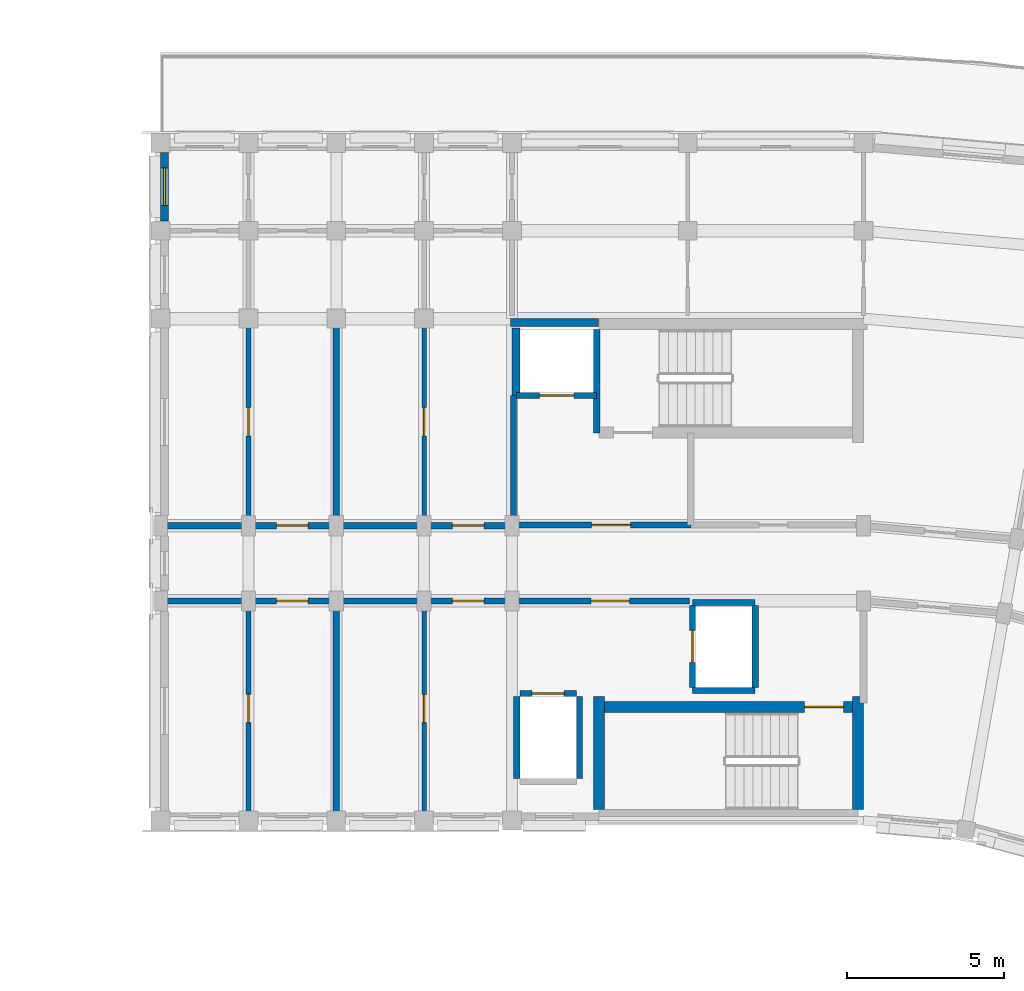
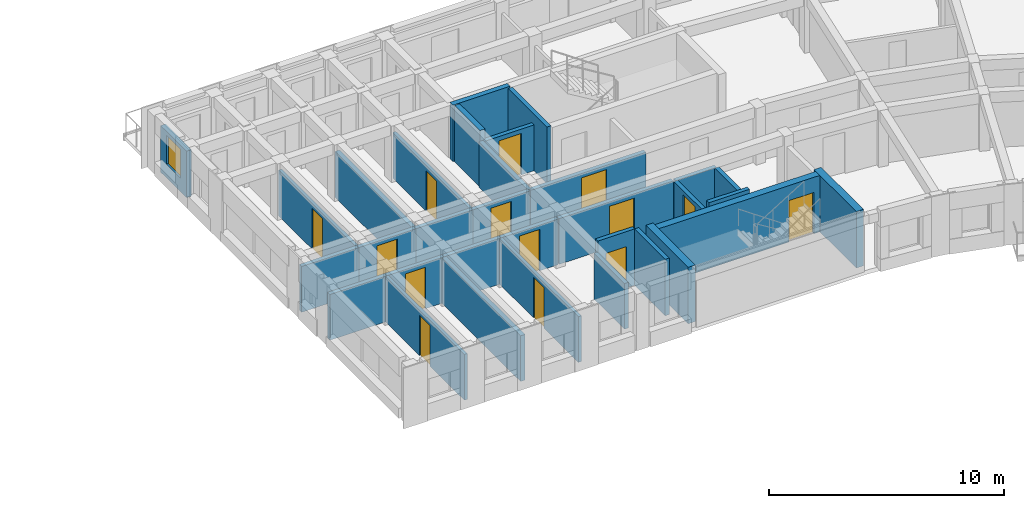
# One storey, part 22 of 41: 32 walls, 14 doors, 1 window, 15 openings.
"""IFC4 building model written with IfcOpenShell, lengths in metres."""

from ifc_helpers import new_model, si_unit, direction, frame, frame_2d, origin, place, context, subcontext, project, spatial, rectangle, extrude, material, layer, layer_set, type_object, element, fill, save


model = new_model("IFC4")

# Units and contexts
model_context = context("Model", 3, precision=1e-05, world=origin(), true_north=direction((0.0, 1.0)))
body_context = subcontext(model_context, "Body", "Model", "MODEL_VIEW")
ifc_project = project(units=[si_unit("LENGTHUNIT", "METRE"), si_unit("AREAUNIT", "SQUARE_METRE"), si_unit("VOLUMEUNIT", "CUBIC_METRE"), si_unit("PLANEANGLEUNIT", "RADIAN"), si_unit("MASSUNIT", "GRAM", prefix="KILO")], contexts=[model_context])

# Site, building, storey
site_placement = place(None, origin())
site = spatial("IfcSite", under=ifc_project, at=site_placement, CompositionType="ELEMENT")
building_placement = place(site_placement, origin())
building = spatial("IfcBuilding", under=site, at=building_placement, Name="Kiranvali Square Residences", CompositionType="ELEMENT")
storey_placement = place(building_placement, frame((0.0, 0.0, 33.89990234375)))
storey = spatial("IfcBuildingStorey", under=building, at=storey_placement, Name="L10", CompositionType="ELEMENT", Elevation=33.89990234375)

# Wall, opening, door
ifc_material_1 = material(Name="Autoclaved aerated concrete blockwork masonry", Category="masonry")
ifc_layer_1 = layer(ifc_material_1, 0.199951171875)
ifc_layer_set_1 = layer_set([ifc_layer_1], Name="Autoclaved aerated concrete blockwork masonry")
wall_type_1 = type_object("IfcWallType", Name="WL-COR-200", PredefinedType="STANDARD", material=ifc_layer_set_1)
wall_1_placement = place(storey_placement, frame((114.25, 113.60009765625, 0.0), z_axis=(0.0, 0.0, 1.0), x_axis=(-1.0, 0.0, 0.0)))
wall_1 = element("IfcWall", 1, at=wall_1_placement, inside=storey, type_object=wall_type_1, Name="L10 architectural wall WL-L10-B-LL-COR", PredefinedType="STANDARD", context=body_context, shape_type="SweptSolid", body=[
    extrude(rectangle(XDim=5.60009765625, YDim=0.199951171875, at=frame_2d((2.800048828125, 0.0))), origin(), (0.0, 0.0, 1.0), 2.3720703125),
])
opening_1_placement = place(wall_1_placement, frame((1.909912109375, 0.0, 0.0)))
opening_1 = element("IfcOpeningElement", 2, at=opening_1_placement, cuts=wall_1, Name="Opening FD-COR-60", PredefinedType="OPENING", context=body_context, shape_type="SweptSolid", body=[
    extrude(rectangle(XDim=1.219970703125, YDim=2.14990234375, at=frame_2d((0.60986328125, 1.074951171875))), frame((0.0, 0.10986328125, 0.0), z_axis=(0.0, -1.0, 0.0), x_axis=(1.0, 0.0, 0.0)), (0.0, 0.0, 1.0), 0.219970703125),
])
ifc_material_2 = material(Name="Fire-rated acoustic hardwood and mineral-core door assembly", Category="wood")
door_type_1 = type_object("IfcDoorType", Name="DR-FD60-1200", OperationType="NOTDEFINED", PredefinedType="DOOR", material=ifc_material_2)
door_1_placement = place(opening_1_placement, origin())
door_1 = element("IfcDoor", 3, at=door_1_placement, inside=storey, type_object=door_type_1, Name="L10 door DR-L10-1585 (DR-FD60-1200)", OperationType="SINGLE_SWING_LEFT", OverallHeight=2.14990234375, OverallWidth=1.219970703125, PredefinedType="DOOR", context=body_context, shape_type="SweptSolid", body=[
    extrude(rectangle(XDim=1.219970703125, YDim=2.14990234375, at=frame_2d((0.60986328125, 1.074951171875))), frame((0.0, 0.02490234375, 0.0), z_axis=(0.0, -1.0, 0.0), x_axis=(1.0, 0.0, 0.0)), (0.0, 0.0, 1.0), 0.050048828125),
])
fill(opening_1, door_1)

wall_2_placement = place(storey_placement, frame((108.60009765625, 113.60009765625, 0.0), z_axis=(0.0, 0.0, 1.0), x_axis=(-1.0, 0.0, 0.0)))
wall_2 = element("IfcWall", 4, at=wall_2_placement, inside=storey, type_object=wall_type_1, Name="L10 architectural wall WL-L10-B-A1CI-0", PredefinedType="STANDARD", context=body_context, shape_type="SweptSolid", body=[
    extrude(rectangle(XDim=2.800048828125, YDim=0.199951171875, at=frame_2d((1.39990234375, 0.0))), origin(), (0.0, 0.0, 1.0), 2.3720703125),
])
opening_2_placement = place(wall_2_placement, frame((0.89990234375, 0.0, 0.0)))
opening_2 = element("IfcOpeningElement", 5, at=opening_2_placement, cuts=wall_2, Name="Opening FD-APT-60", PredefinedType="OPENING", context=body_context, shape_type="SweptSolid", body=[
    extrude(rectangle(XDim=1.0, YDim=2.14990234375, at=frame_2d((0.5, 1.074951171875))), frame((0.0, 0.10986328125, 0.0), z_axis=(0.0, -1.0, 0.0), x_axis=(1.0, 0.0, 0.0)), (0.0, 0.0, 1.0), 0.219970703125),
])
door_type_2 = type_object("IfcDoorType", Name="DR-APT-1000", OperationType="NOTDEFINED", PredefinedType="DOOR", material=ifc_material_2)
door_2_placement = place(opening_2_placement, origin())
door_2 = element("IfcDoor", 6, at=door_2_placement, inside=storey, type_object=door_type_2, Name="L10 door DR-L10-1589 (DR-APT-1000)", OperationType="SINGLE_SWING_LEFT", OverallHeight=2.14990234375, OverallWidth=1.0, PredefinedType="DOOR", context=body_context, shape_type="SweptSolid", body=[
    extrude(rectangle(XDim=1.0, YDim=2.14990234375, at=frame_2d((0.5, 1.074951171875))), frame((0.0, 0.02490234375, 0.0), z_axis=(0.0, -1.0, 0.0), x_axis=(1.0, 0.0, 0.0)), (0.0, 0.0, 1.0), 0.050048828125),
])
fill(opening_2, door_2)

wall_3_placement = place(storey_placement, frame((108.60009765625, 116.0, 0.0), z_axis=(0.0, 0.0, 1.0), x_axis=(-1.0, 0.0, 0.0)))
wall_3 = element("IfcWall", 7, at=wall_3_placement, inside=storey, type_object=wall_type_1, Name="L10 architectural wall WL-L10-B-A1CO-0", PredefinedType="STANDARD", context=body_context, shape_type="SweptSolid", body=[
    extrude(rectangle(XDim=2.800048828125, YDim=0.199951171875, at=frame_2d((1.39990234375, 0.0))), origin(), (0.0, 0.0, 1.0), 2.3720703125),
])
opening_3_placement = place(wall_3_placement, frame((0.89990234375, 0.0, 0.0)))
opening_3 = element("IfcOpeningElement", 8, at=opening_3_placement, cuts=wall_3, Name="Opening FD-APT-60", PredefinedType="OPENING", context=body_context, shape_type="SweptSolid", body=[
    extrude(rectangle(XDim=1.0, YDim=2.14990234375, at=frame_2d((0.5, 1.074951171875))), frame((0.0, 0.10986328125, 0.0), z_axis=(0.0, -1.0, 0.0), x_axis=(1.0, 0.0, 0.0)), (0.0, 0.0, 1.0), 0.219970703125),
])
door_3_placement = place(opening_3_placement, origin())
door_3 = element("IfcDoor", 9, at=door_3_placement, inside=storey, type_object=door_type_2, Name="L10 door DR-L10-1591 (DR-APT-1000)", OperationType="SINGLE_SWING_LEFT", OverallHeight=2.14990234375, OverallWidth=1.0, PredefinedType="DOOR", context=body_context, shape_type="SweptSolid", body=[
    extrude(rectangle(XDim=1.0, YDim=2.14990234375, at=frame_2d((0.5, 1.074951171875))), frame((0.0, 0.02490234375, 0.0), z_axis=(0.0, -1.0, 0.0), x_axis=(1.0, 0.0, 0.0)), (0.0, 0.0, 1.0), 0.050048828125),
])
fill(opening_3, door_3)

# Walls
for number, where, z_axis, x_axis, name in (
    (10, (105.800048828125, 113.60009765625, 0.0), (0.0, 0.0, 1.0), (-1.0, 0.0, 0.0), "L10 architectural wall WL-L10-B-A1CI-1"),
    (11, (105.800048828125, 116.0, 0.0), (0.0, 0.0, 1.0), (-1.0, 0.0, 0.0), "L10 architectural wall WL-L10-B-A1CO-1"),
):
    element("IfcWall", number, at=place(storey_placement, frame(where, z_axis=z_axis, x_axis=x_axis)), inside=storey, type_object=wall_type_1, Name=name, PredefinedType="STANDARD", context=body_context, shape_type="SweptSolid", body=[
        extrude(rectangle(XDim=2.800048828125, YDim=0.199951171875, at=frame_2d((1.39990234375, 0.0))), origin(), (0.0, 0.0, 1.0), 2.3720703125),
    ])

# Wall, opening, door
wall_4_placement = place(storey_placement, frame((103.0, 113.60009765625, 0.0), z_axis=(0.0, 0.0, 1.0), x_axis=(-1.0, 0.0, 0.0)))
wall_4 = element("IfcWall", 12, at=wall_4_placement, inside=storey, type_object=wall_type_1, Name="L10 architectural wall WL-L10-B-A1CI-2", PredefinedType="STANDARD", context=body_context, shape_type="SweptSolid", body=[
    extrude(rectangle(XDim=2.800048828125, YDim=0.199951171875, at=frame_2d((1.39990234375, 0.0))), origin(), (0.0, 0.0, 1.0), 2.3720703125),
])
opening_4_placement = place(wall_4_placement, frame((0.89990234375, 0.0, 0.0)))
opening_4 = element("IfcOpeningElement", 13, at=opening_4_placement, cuts=wall_4, Name="Opening FD-APT-60", PredefinedType="OPENING", context=body_context, shape_type="SweptSolid", body=[
    extrude(rectangle(XDim=1.0, YDim=2.14990234375, at=frame_2d((0.5, 1.074951171875))), frame((0.0, 0.10986328125, 0.0), z_axis=(0.0, -1.0, 0.0), x_axis=(1.0, 0.0, 0.0)), (0.0, 0.0, 1.0), 0.219970703125),
])
door_4_placement = place(opening_4_placement, origin())
door_4 = element("IfcDoor", 14, at=door_4_placement, inside=storey, type_object=door_type_2, Name="L10 door DR-L10-1593 (DR-APT-1000)", OperationType="SINGLE_SWING_LEFT", OverallHeight=2.14990234375, OverallWidth=1.0, PredefinedType="DOOR", context=body_context, shape_type="SweptSolid", body=[
    extrude(rectangle(XDim=1.0, YDim=2.14990234375, at=frame_2d((0.5, 1.074951171875))), frame((0.0, 0.02490234375, 0.0), z_axis=(0.0, -1.0, 0.0), x_axis=(1.0, 0.0, 0.0)), (0.0, 0.0, 1.0), 0.050048828125),
])
fill(opening_4, door_4)

wall_5_placement = place(storey_placement, frame((103.0, 116.0, 0.0), z_axis=(0.0, 0.0, 1.0), x_axis=(-1.0, 0.0, 0.0)))
wall_5 = element("IfcWall", 15, at=wall_5_placement, inside=storey, type_object=wall_type_1, Name="L10 architectural wall WL-L10-B-A1CO-2", PredefinedType="STANDARD", context=body_context, shape_type="SweptSolid", body=[
    extrude(rectangle(XDim=2.800048828125, YDim=0.199951171875, at=frame_2d((1.39990234375, 0.0))), origin(), (0.0, 0.0, 1.0), 2.3720703125),
])
opening_5_placement = place(wall_5_placement, frame((0.89990234375, 0.0, 0.0)))
opening_5 = element("IfcOpeningElement", 16, at=opening_5_placement, cuts=wall_5, Name="Opening FD-APT-60", PredefinedType="OPENING", context=body_context, shape_type="SweptSolid", body=[
    extrude(rectangle(XDim=1.0, YDim=2.14990234375, at=frame_2d((0.5, 1.074951171875))), frame((0.0, 0.10986328125, 0.0), z_axis=(0.0, -1.0, 0.0), x_axis=(1.0, 0.0, 0.0)), (0.0, 0.0, 1.0), 0.219970703125),
])
door_5_placement = place(opening_5_placement, origin())
door_5 = element("IfcDoor", 17, at=door_5_placement, inside=storey, type_object=door_type_2, Name="L10 door DR-L10-1595 (DR-APT-1000)", OperationType="SINGLE_SWING_LEFT", OverallHeight=2.14990234375, OverallWidth=1.0, PredefinedType="DOOR", context=body_context, shape_type="SweptSolid", body=[
    extrude(rectangle(XDim=1.0, YDim=2.14990234375, at=frame_2d((0.5, 1.074951171875))), frame((0.0, 0.02490234375, 0.0), z_axis=(0.0, -1.0, 0.0), x_axis=(1.0, 0.0, 0.0)), (0.0, 0.0, 1.0), 0.050048828125),
])
fill(opening_5, door_5)

# Walls
for number, where, z_axis, x_axis, name in (
    (18, (100.199951171875, 113.60009765625, 0.0), (0.0, 0.0, 1.0), (-1.0, 0.0, 0.0), "L10 architectural wall WL-L10-B-A1CI-3"),
    (19, (100.199951171875, 116.0, 0.0), (0.0, 0.0, 1.0), (-1.0, 0.0, 0.0), "L10 architectural wall WL-L10-B-A1CO-3"),
):
    element("IfcWall", number, at=place(storey_placement, frame(where, z_axis=z_axis, x_axis=x_axis)), inside=storey, type_object=wall_type_1, Name=name, PredefinedType="STANDARD", context=body_context, shape_type="SweptSolid", body=[
        extrude(rectangle(XDim=2.800048828125, YDim=0.199951171875, at=frame_2d((1.39990234375, 0.0))), origin(), (0.0, 0.0, 1.0), 2.3720703125),
    ])
ifc_layer_2 = layer(ifc_material_1, 0.219970703125)
ifc_layer_set_2 = layer_set([ifc_layer_2], Name="Autoclaved aerated concrete blockwork masonry")
wall_type_2 = type_object("IfcWallType", Name="WL-DEM-220", PredefinedType="STANDARD", material=ifc_layer_set_2)
wall_6_placement = place(storey_placement, frame((103.0, 106.800048828125, 0.0), z_axis=(0.0, 0.0, 1.0), x_axis=(0.0, 1.0, 0.0)))
element("IfcWall", 20, at=wall_6_placement, inside=storey, type_object=wall_type_2, Name="L10 architectural wall WL-L10-B-A1TI-2", PredefinedType="STANDARD", context=body_context, shape_type="SweptSolid", body=[
    extrude(rectangle(XDim=6.75, YDim=0.219970703125, at=frame_2d((3.375, 0.0))), origin(), (0.0, 0.0, 1.0), 2.3720703125),
])
wall_7_placement = place(storey_placement, frame((103.0, 116.050048828125, 0.0), z_axis=(0.0, 0.0, 1.0), x_axis=(0.0, 1.0, 0.0)))
element("IfcWall", 21, at=wall_7_placement, inside=storey, type_object=wall_type_2, Name="L10 architectural wall WL-L10-B-A1TO1-2", PredefinedType="STANDARD", context=body_context, shape_type="SweptSolid", body=[
    extrude(rectangle(XDim=6.530029296875, YDim=0.219970703125, at=frame_2d((3.26513671875, 0.0))), origin(), (0.0, 0.0, 1.0), 2.3720703125),
])

# Wall, opening, window
ifc_material_3 = material(Name="Breathable lime-rendered clay brick masonry", Category="masonry")
ifc_layer_3 = layer(ifc_material_3, 0.25)
ifc_layer_set_3 = layer_set([ifc_layer_3], Name="Breathable lime-rendered clay brick masonry")
wall_type_3 = type_object("IfcWallType", Name="WL-EXT-250", PredefinedType="STANDARD", material=ifc_layer_set_3)
wall_8_placement = place(storey_placement, frame((97.52490234375, 125.70361328125, 0.0), z_axis=(0.0, 0.0, 1.0), x_axis=(0.0, 1.0, 0.0)))
wall_8 = element("IfcWall", 22, at=wall_8_placement, inside=storey, type_object=wall_type_3, Name="L10 exterior wall B-L10-A1END-4", PredefinedType="STANDARD", context=body_context, shape_type="SweptSolid", body=[
    extrude(rectangle(XDim=2.19287109375, YDim=0.25, at=frame_2d((1.096435546875, 0.0))), origin(), (0.0, 0.0, 1.0), 2.412109375),
])
opening_6_placement = place(wall_8_placement, frame((0.49658203125, 0.0, 0.7119140625)))
opening_6 = element("IfcOpeningElement", 23, at=opening_6_placement, cuts=wall_8, Name="Opening W-06", PredefinedType="OPENING", context=body_context, shape_type="SweptSolid", body=[
    extrude(rectangle(XDim=1.199951171875, YDim=1.5, at=frame_2d((0.60009765625, 0.75))), frame((0.0, 0.135009765625, 0.0), z_axis=(0.0, -1.0, 0.0), x_axis=(1.0, 0.0, 0.0)), (0.0, 0.0, 1.0), 0.27001953125),
])
ifc_material_4 = material(Name="Solar-control low-e double glazing", Category="glass")
window_type = type_object("IfcWindowType", Name="WIN-RES-1200x1500", PartitioningType="SINGLE_PANEL", PredefinedType="WINDOW", material=ifc_material_4)
window_placement = place(opening_6_placement, origin())
window = element("IfcWindow", 24, at=window_placement, inside=storey, type_object=window_type, Name="L10 recessed window B-L10-A1END-4", OverallHeight=1.5, OverallWidth=1.199951171875, PartitioningType="SINGLE_PANEL", PredefinedType="WINDOW", context=body_context, shape_type="SweptSolid", body=[
    extrude(rectangle(XDim=1.199951171875, YDim=1.5, at=frame_2d((0.60009765625, 0.75))), frame((0.0, 0.030029296875, 0.0), z_axis=(0.0, -1.0, 0.0), x_axis=(1.0, 0.0, 0.0)), (0.0, 0.0, 1.0), 0.06005859375),
])
fill(opening_6, window)

# Wall, opening, door
ifc_layer_4 = layer(ifc_material_1, 0.199951171875)
ifc_layer_set_4 = layer_set([ifc_layer_4], Name="Autoclaved aerated concrete blockwork masonry")
wall_type_4 = type_object("IfcWallType", Name="WL-FFL-200", PredefinedType="STANDARD", material=ifc_layer_set_4)
wall_9_placement = place(storey_placement, frame((114.300048828125, 116.02001953125, 0.0), z_axis=(0.0, 0.0, 1.0), x_axis=(-1.0, 0.0, 0.0)))
wall_9 = element("IfcWall", 25, at=wall_9_placement, inside=storey, type_object=wall_type_4, Name="L10 architectural wall WL-L10-B-FF-COR", PredefinedType="STANDARD", context=body_context, shape_type="SweptSolid", body=[
    extrude(rectangle(XDim=5.650146484375, YDim=0.199951171875, at=frame_2d((2.8251953125, 0.0))), origin(), (0.0, 0.0, 1.0), 2.3720703125),
])
opening_7_placement = place(wall_9_placement, frame((1.922607421875, 0.0, 0.0)))
opening_7 = element("IfcOpeningElement", 26, at=opening_7_placement, cuts=wall_9, Name="Opening FD-ST-120", PredefinedType="OPENING", context=body_context, shape_type="SweptSolid", body=[
    extrude(rectangle(XDim=1.239990234375, YDim=2.14990234375, at=frame_2d((0.6201171875, 1.074951171875))), frame((0.0, 0.10986328125, 0.0), z_axis=(0.0, -1.0, 0.0), x_axis=(1.0, 0.0, 0.0)), (0.0, 0.0, 1.0), 0.219970703125),
])
door_type_3 = type_object("IfcDoorType", Name="DR-FD120-1200", OperationType="NOTDEFINED", PredefinedType="DOOR", material=ifc_material_2)
door_6_placement = place(opening_7_placement, origin())
door_6 = element("IfcDoor", 27, at=door_6_placement, inside=storey, type_object=door_type_3, Name="L10 door DR-L10-1577 (DR-FD120-1200)", OperationType="SINGLE_SWING_LEFT", OverallHeight=2.14990234375, OverallWidth=1.239990234375, PredefinedType="DOOR", context=body_context, shape_type="SweptSolid", body=[
    extrude(rectangle(XDim=1.239990234375, YDim=2.14990234375, at=frame_2d((0.6201171875, 1.074951171875))), frame((0.0, 0.02490234375, 0.0), z_axis=(0.0, -1.0, 0.0), x_axis=(1.0, 0.0, 0.0)), (0.0, 0.0, 1.0), 0.050048828125),
])
fill(opening_7, door_6)

# Wall
wall_10_placement = place(storey_placement, frame((108.64990234375, 116.02001953125, 0.0), z_axis=(0.0, 0.0, 1.0), x_axis=(0.0, 1.0, 0.0)))
element("IfcWall", 28, at=wall_10_placement, inside=storey, type_object=wall_type_4, Name="L10 architectural wall WL-L10-B-FF-END", PredefinedType="STANDARD", context=body_context, shape_type="SweptSolid", body=[
    extrude(rectangle(XDim=4.1298828125, YDim=0.199951171875, at=frame_2d((2.06494140625, 0.0))), origin(), (0.0, 0.0, 1.0), 2.3720703125),
])

# Wall, opening, door
wall_11_placement = place(storey_placement, frame((111.300048828125, 120.14990234375, 0.0), z_axis=(0.0, 0.0, 1.0), x_axis=(-1.0, 0.0, 0.0)))
wall_11 = element("IfcWall", 29, at=wall_11_placement, inside=storey, type_object=wall_type_4, Name="L10 architectural wall WL-L10-B-FF-LFT", PredefinedType="STANDARD", context=body_context, shape_type="SweptSolid", body=[
    extrude(rectangle(XDim=2.550048828125, YDim=0.199951171875, at=frame_2d((1.27490234375, 0.0))), origin(), (0.0, 0.0, 1.0), 2.3720703125),
])
opening_8_placement = place(wall_11_placement, frame((0.72509765625, 0.0, 0.0)))
opening_8 = element("IfcOpeningElement", 30, at=opening_8_placement, cuts=wall_11, Name="Opening LD-FF-110", PredefinedType="OPENING", context=body_context, shape_type="SweptSolid", body=[
    extrude(rectangle(XDim=1.10009765625, YDim=2.14990234375, at=frame_2d((0.550048828125, 1.074951171875))), frame((0.0, 0.10986328125, 0.0), z_axis=(0.0, -1.0, 0.0), x_axis=(1.0, 0.0, 0.0)), (0.0, 0.0, 1.0), 0.219970703125),
])
door_type_4 = type_object("IfcDoorType", Name="DR-LIFT-FF-1100", OperationType="SLIDING_TO_LEFT", PredefinedType="DOOR", material=ifc_material_2)
door_7_placement = place(opening_8_placement, origin())
door_7 = element("IfcDoor", 31, at=door_7_placement, inside=storey, type_object=door_type_4, Name="L10 door DR-L10-1579 (DR-LIFT-FF-1100)", OperationType="SLIDING_TO_LEFT", OverallHeight=2.14990234375, OverallWidth=1.10009765625, PredefinedType="DOOR", context=body_context, shape_type="SweptSolid", body=[
    extrude(rectangle(XDim=1.10009765625, YDim=2.14990234375, at=frame_2d((0.550048828125, 1.074951171875))), frame((0.0, 0.02490234375, 0.0), z_axis=(0.0, -1.0, 0.0), x_axis=(1.0, 0.0, 0.0)), (0.0, 0.0, 1.0), 0.050048828125),
])
fill(opening_8, door_7)

ifc_material_5 = material(Name="Acoustic gypsum board drylined partition", Category="gypsum")
ifc_layer_5 = layer(ifc_material_5, 0.14990234375)
ifc_layer_set_5 = layer_set([ifc_layer_5], Name="Acoustic gypsum board drylined partition")
wall_type_5 = type_object("IfcWallType", Name="WL-PRT-150", PredefinedType="PARTITIONING", material=ifc_layer_set_5)
wall_12_placement = place(storey_placement, frame((105.800048828125, 106.800048828125, 0.0), z_axis=(0.0, 0.0, 1.0), x_axis=(0.0, 1.0, 0.0)))
wall_12 = element("IfcWall", 32, at=wall_12_placement, inside=storey, type_object=wall_type_5, Name="L10 architectural wall WL-L10-B-A1TI-1", PredefinedType="PARTITIONING", context=body_context, shape_type="SweptSolid", body=[
    extrude(rectangle(XDim=6.75, YDim=0.14990234375, at=frame_2d((3.375, 0.0))), origin(), (0.0, 0.0, 1.0), 2.3720703125),
])
opening_9_placement = place(wall_12_placement, frame((2.925048828125, 0.0, 0.0)))
opening_9 = element("IfcOpeningElement", 33, at=opening_9_placement, cuts=wall_12, Name="Opening ID-1", PredefinedType="OPENING", context=body_context, shape_type="SweptSolid", body=[
    extrude(rectangle(XDim=0.89990234375, YDim=2.10009765625, at=frame_2d((0.449951171875, 1.050048828125))), frame((0.0, 0.0849609375, 0.0), z_axis=(0.0, -1.0, 0.0), x_axis=(1.0, 0.0, 0.0)), (0.0, 0.0, 1.0), 0.169921875),
])
ifc_material_6 = material(Name="Solid seasoned teak hardwood joinery", Category="wood")
door_type_5 = type_object("IfcDoorType", Name="DR-INT-900", OperationType="NOTDEFINED", PredefinedType="DOOR", material=ifc_material_6)
door_8_placement = place(opening_9_placement, frame((0.89990234375, 0.0, 0.0), z_axis=(0.0, 0.0, 1.0), x_axis=(-1.0, 0.0, 0.0)))
door_8 = element("IfcDoor", 34, at=door_8_placement, inside=storey, type_object=door_type_5, Name="L10 door DR-L10-1598 (DR-INT-900)", OperationType="SINGLE_SWING_RIGHT", OverallHeight=2.10009765625, OverallWidth=0.89990234375, PredefinedType="DOOR", context=body_context, shape_type="SweptSolid", body=[
    extrude(rectangle(XDim=0.89990234375, YDim=2.10009765625, at=frame_2d((0.449951171875, 1.050048828125))), frame((0.0, 0.02490234375, 0.0), z_axis=(0.0, -1.0, 0.0), x_axis=(1.0, 0.0, 0.0)), (0.0, 0.0, 1.0), 0.050048828125),
])
fill(opening_9, door_8)

wall_13_placement = place(storey_placement, frame((105.800048828125, 116.050048828125, 0.0), z_axis=(0.0, 0.0, 1.0), x_axis=(0.0, 1.0, 0.0)))
wall_13 = element("IfcWall", 35, at=wall_13_placement, inside=storey, type_object=wall_type_5, Name="L10 architectural wall WL-L10-B-A1TO1-1", PredefinedType="PARTITIONING", context=body_context, shape_type="SweptSolid", body=[
    extrude(rectangle(XDim=6.530029296875, YDim=0.14990234375, at=frame_2d((3.26513671875, 0.0))), origin(), (0.0, 0.0, 1.0), 2.3720703125),
])
opening_10_placement = place(wall_13_placement, frame((2.81494140625, 0.0, 0.0)))
opening_10 = element("IfcOpeningElement", 36, at=opening_10_placement, cuts=wall_13, Name="Opening ID-1", PredefinedType="OPENING", context=body_context, shape_type="SweptSolid", body=[
    extrude(rectangle(XDim=0.89990234375, YDim=2.10009765625, at=frame_2d((0.449951171875, 1.050048828125))), frame((0.0, 0.0849609375, 0.0), z_axis=(0.0, -1.0, 0.0), x_axis=(1.0, 0.0, 0.0)), (0.0, 0.0, 1.0), 0.169921875),
])
door_9_placement = place(opening_10_placement, origin())
door_9 = element("IfcDoor", 37, at=door_9_placement, inside=storey, type_object=door_type_5, Name="L10 door DR-L10-1599 (DR-INT-900)", OperationType="SINGLE_SWING_LEFT", OverallHeight=2.10009765625, OverallWidth=0.89990234375, PredefinedType="DOOR", context=body_context, shape_type="SweptSolid", body=[
    extrude(rectangle(XDim=0.89990234375, YDim=2.10009765625, at=frame_2d((0.449951171875, 1.050048828125))), frame((0.0, 0.02490234375, 0.0), z_axis=(0.0, -1.0, 0.0), x_axis=(1.0, 0.0, 0.0)), (0.0, 0.0, 1.0), 0.050048828125),
])
fill(opening_10, door_9)

wall_14_placement = place(storey_placement, frame((100.199951171875, 106.800048828125, 0.0), z_axis=(0.0, 0.0, 1.0), x_axis=(0.0, 1.0, 0.0)))
wall_14 = element("IfcWall", 38, at=wall_14_placement, inside=storey, type_object=wall_type_5, Name="L10 architectural wall WL-L10-B-A1TI-3", PredefinedType="PARTITIONING", context=body_context, shape_type="SweptSolid", body=[
    extrude(rectangle(XDim=6.75, YDim=0.14990234375, at=frame_2d((3.375, 0.0))), origin(), (0.0, 0.0, 1.0), 2.3720703125),
])
opening_11_placement = place(wall_14_placement, frame((2.925048828125, 0.0, 0.0)))
opening_11 = element("IfcOpeningElement", 39, at=opening_11_placement, cuts=wall_14, Name="Opening ID-1", PredefinedType="OPENING", context=body_context, shape_type="SweptSolid", body=[
    extrude(rectangle(XDim=0.89990234375, YDim=2.10009765625, at=frame_2d((0.449951171875, 1.050048828125))), frame((0.0, 0.0849609375, 0.0), z_axis=(0.0, -1.0, 0.0), x_axis=(1.0, 0.0, 0.0)), (0.0, 0.0, 1.0), 0.169921875),
])
door_10_placement = place(opening_11_placement, origin())
door_10 = element("IfcDoor", 40, at=door_10_placement, inside=storey, type_object=door_type_5, Name="L10 door DR-L10-1601 (DR-INT-900)", OperationType="SINGLE_SWING_LEFT", OverallHeight=2.10009765625, OverallWidth=0.89990234375, PredefinedType="DOOR", context=body_context, shape_type="SweptSolid", body=[
    extrude(rectangle(XDim=0.89990234375, YDim=2.10009765625, at=frame_2d((0.449951171875, 1.050048828125))), frame((0.0, 0.02490234375, 0.0), z_axis=(0.0, -1.0, 0.0), x_axis=(1.0, 0.0, 0.0)), (0.0, 0.0, 1.0), 0.050048828125),
])
fill(opening_11, door_10)

wall_15_placement = place(storey_placement, frame((100.199951171875, 116.050048828125, 0.0), z_axis=(0.0, 0.0, 1.0), x_axis=(0.0, 1.0, 0.0)))
wall_15 = element("IfcWall", 41, at=wall_15_placement, inside=storey, type_object=wall_type_5, Name="L10 architectural wall WL-L10-B-A1TO1-3", PredefinedType="PARTITIONING", context=body_context, shape_type="SweptSolid", body=[
    extrude(rectangle(XDim=6.530029296875, YDim=0.14990234375, at=frame_2d((3.26513671875, 0.0))), origin(), (0.0, 0.0, 1.0), 2.3720703125),
])
opening_12_placement = place(wall_15_placement, frame((2.81494140625, 0.0, 0.0)))
opening_12 = element("IfcOpeningElement", 42, at=opening_12_placement, cuts=wall_15, Name="Opening ID-1", PredefinedType="OPENING", context=body_context, shape_type="SweptSolid", body=[
    extrude(rectangle(XDim=0.89990234375, YDim=2.10009765625, at=frame_2d((0.449951171875, 1.050048828125))), frame((0.0, 0.0849609375, 0.0), z_axis=(0.0, -1.0, 0.0), x_axis=(1.0, 0.0, 0.0)), (0.0, 0.0, 1.0), 0.169921875),
])
door_11_placement = place(opening_12_placement, frame((0.89990234375, 0.0, 0.0), z_axis=(0.0, 0.0, 1.0), x_axis=(-1.0, 0.0, 0.0)))
door_11 = element("IfcDoor", 43, at=door_11_placement, inside=storey, type_object=door_type_5, Name="L10 door DR-L10-1602 (DR-INT-900)", OperationType="SINGLE_SWING_RIGHT", OverallHeight=2.10009765625, OverallWidth=0.89990234375, PredefinedType="DOOR", context=body_context, shape_type="SweptSolid", body=[
    extrude(rectangle(XDim=0.89990234375, YDim=2.10009765625, at=frame_2d((0.449951171875, 1.050048828125))), frame((0.0, 0.02490234375, 0.0), z_axis=(0.0, -1.0, 0.0), x_axis=(1.0, 0.0, 0.0)), (0.0, 0.0, 1.0), 0.050048828125),
])
fill(opening_12, door_11)

# Walls
ifc_layer_6 = layer(ifc_material_1, 0.199951171875)
ifc_layer_set_6 = layer_set([ifc_layer_6], Name="Autoclaved aerated concrete blockwork masonry")
wall_type_6 = type_object("IfcWallType", Name="WL-SHF-200", PredefinedType="STANDARD", material=ifc_layer_set_6)
wall_16_placement = place(storey_placement, frame((111.300048828125, 118.949951171875, 0.0), z_axis=(0.0, 0.0, 1.0), x_axis=(0.0, 1.0, 0.0)))
element("IfcWall", 44, at=wall_16_placement, inside=storey, type_object=wall_type_6, Name="L10 architectural wall WL-L10-B-FF-SHF", PredefinedType="STANDARD", context=body_context, shape_type="SweptSolid", body=[
    extrude(rectangle(XDim=3.300048828125, YDim=0.199951171875, at=frame_2d((1.64990234375, 0.0))), origin(), (0.0, 0.0, 1.0), 2.93017578125),
])
wall_17_placement = place(storey_placement, frame((110.75, 107.949951171875, 0.0), z_axis=(0.0, 0.0, 1.0), x_axis=(0.0, 1.0, 0.0)))
element("IfcWall", 45, at=wall_17_placement, inside=storey, type_object=wall_type_6, Name="L10 architectural wall WL-L10-B-LP1-S1", PredefinedType="STANDARD", context=body_context, shape_type="SweptSolid", body=[
    extrude(rectangle(XDim=2.60009765625, YDim=0.199951171875, at=frame_2d((1.300048828125, 0.0))), origin(), (0.0, 0.0, 1.0), 2.93017578125),
])
wall_18_placement = place(storey_placement, frame((108.75, 107.949951171875, 0.0), z_axis=(0.0, 0.0, 1.0), x_axis=(0.0, 1.0, 0.0)))
element("IfcWall", 46, at=wall_18_placement, inside=storey, type_object=wall_type_6, Name="L10 architectural wall WL-L10-B-LP1-B", PredefinedType="STANDARD", context=body_context, shape_type="SweptSolid", body=[
    extrude(rectangle(XDim=2.60009765625, YDim=0.199951171875, at=frame_2d((1.300048828125, 0.0))), origin(), (0.0, 0.0, 1.0), 2.3720703125),
])

# Wall, opening, door
wall_19_placement = place(storey_placement, frame((110.64990234375, 110.64990234375, 0.0), z_axis=(0.0, 0.0, 1.0), x_axis=(-1.0, 0.0, 0.0)))
wall_19 = element("IfcWall", 47, at=wall_19_placement, inside=storey, type_object=wall_type_6, Name="L10 architectural wall WL-L10-B-LP1-F", PredefinedType="STANDARD", context=body_context, shape_type="SweptSolid", body=[
    extrude(rectangle(XDim=1.7998046875, YDim=0.199951171875, at=frame_2d((0.89990234375, 0.0))), origin(), (0.0, 0.0, 1.0), 2.93017578125),
])
opening_13_placement = place(wall_19_placement, frame((0.389892578125, 0.0, 0.0)))
opening_13 = element("IfcOpeningElement", 48, at=opening_13_placement, cuts=wall_19, Name="Opening LD-PAX-100", PredefinedType="OPENING", context=body_context, shape_type="SweptSolid", body=[
    extrude(rectangle(XDim=1.02001953125, YDim=2.14990234375, at=frame_2d((0.510009765625, 1.074951171875))), frame((0.0, 0.10986328125, 0.0), z_axis=(0.0, -1.0, 0.0), x_axis=(1.0, 0.0, 0.0)), (0.0, 0.0, 1.0), 0.219970703125),
])
door_type_6 = type_object("IfcDoorType", Name="DR-LIFT-1000", OperationType="SLIDING_TO_RIGHT", PredefinedType="DOOR", material=ifc_material_2)
door_12_placement = place(opening_13_placement, origin())
door_12 = element("IfcDoor", 49, at=door_12_placement, inside=storey, type_object=door_type_6, Name="L10 door DR-L10-1583 (DR-LIFT-1000)", OperationType="SLIDING_TO_RIGHT", OverallHeight=2.14990234375, OverallWidth=1.02001953125, PredefinedType="DOOR", context=body_context, shape_type="SweptSolid", body=[
    extrude(rectangle(XDim=1.02001953125, YDim=2.14990234375, at=frame_2d((0.510009765625, 1.074951171875))), frame((0.0, 0.02490234375, 0.0), z_axis=(0.0, -1.0, 0.0), x_axis=(1.0, 0.0, 0.0)), (0.0, 0.0, 1.0), 0.050048828125),
])
fill(opening_13, door_12)

# Walls
wall_20_placement = place(storey_placement, frame((116.35009765625, 110.75, 0.0), z_axis=(0.0, 0.0, 1.0), x_axis=(-1.0, 0.0, 0.0)))
element("IfcWall", 50, at=wall_20_placement, inside=storey, type_object=wall_type_6, Name="L10 architectural wall WL-L10-B-LP2-S0", PredefinedType="STANDARD", context=body_context, shape_type="SweptSolid", body=[
    extrude(rectangle(XDim=2.0, YDim=0.199951171875, at=frame_2d((1.0, 0.0))), origin(), (0.0, 0.0, 1.0), 2.93017578125),
])
wall_21_placement = place(storey_placement, frame((116.35009765625, 113.550048828125, 0.0), z_axis=(0.0, 0.0, 1.0), x_axis=(-1.0, 0.0, 0.0)))
element("IfcWall", 51, at=wall_21_placement, inside=storey, type_object=wall_type_6, Name="L10 architectural wall WL-L10-B-LP2-B", PredefinedType="STANDARD", context=body_context, shape_type="SweptSolid", body=[
    extrude(rectangle(XDim=2.0, YDim=0.199951171875, at=frame_2d((1.0, 0.0))), origin(), (0.0, 0.0, 1.0), 2.3720703125),
])
wall_22_placement = place(storey_placement, frame((116.35009765625, 110.85009765625, 0.0), z_axis=(0.0, 0.0, 1.0), x_axis=(0.0, 1.0, 0.0)))
element("IfcWall", 52, at=wall_22_placement, inside=storey, type_object=wall_type_6, Name="L10 architectural wall WL-L10-B-LP2-S1", PredefinedType="STANDARD", context=body_context, shape_type="SweptSolid", body=[
    extrude(rectangle(XDim=2.599853515625, YDim=0.199951171875, at=frame_2d((1.2998046875, 0.0))), origin(), (0.0, 0.0, 1.0), 2.3720703125),
])

# Wall, opening, door
wall_23_placement = place(storey_placement, frame((114.35009765625, 110.85009765625, 0.0), z_axis=(0.0, 0.0, 1.0), x_axis=(0.0, 1.0, 0.0)))
wall_23 = element("IfcWall", 53, at=wall_23_placement, inside=storey, type_object=wall_type_6, Name="L10 architectural wall WL-L10-B-LP2-F", PredefinedType="STANDARD", context=body_context, shape_type="SweptSolid", body=[
    extrude(rectangle(XDim=2.599853515625, YDim=0.199951171875, at=frame_2d((1.2998046875, 0.0))), origin(), (0.0, 0.0, 1.0), 2.3720703125),
])
opening_14_placement = place(wall_23_placement, frame((0.7900390625, 0.0, 0.0)))
opening_14 = element("IfcOpeningElement", 54, at=opening_14_placement, cuts=wall_23, Name="Opening LD-PAX-100", PredefinedType="OPENING", context=body_context, shape_type="SweptSolid", body=[
    extrude(rectangle(XDim=1.02001953125, YDim=2.14990234375, at=frame_2d((0.510009765625, 1.074951171875))), frame((0.0, 0.10986328125, 0.0), z_axis=(0.0, -1.0, 0.0), x_axis=(1.0, 0.0, 0.0)), (0.0, 0.0, 1.0), 0.219970703125),
])
door_13_placement = place(opening_14_placement, origin())
door_13 = element("IfcDoor", 55, at=door_13_placement, inside=storey, type_object=door_type_6, Name="L10 door DR-L10-1584 (DR-LIFT-1000)", OperationType="SLIDING_TO_RIGHT", OverallHeight=2.14990234375, OverallWidth=1.02001953125, PredefinedType="DOOR", context=body_context, shape_type="SweptSolid", body=[
    extrude(rectangle(XDim=1.02001953125, YDim=2.14990234375, at=frame_2d((0.510009765625, 1.074951171875))), frame((0.0, 0.02490234375, 0.0), z_axis=(0.0, -1.0, 0.0), x_axis=(1.0, 0.0, 0.0)), (0.0, 0.0, 1.0), 0.050048828125),
])
fill(opening_14, door_13)

# Walls
ifc_material_7 = material(Name="Concrete M45 (45 MPa)", Category="concrete")
ifc_layer_7 = layer(ifc_material_7, 0.25)
ifc_layer_set_7 = layer_set([ifc_layer_7], Name="Concrete M45 (45 MPa)")
wall_type_7 = type_object("IfcWallType", Name="WL-SHR-250", PredefinedType="SHEAR", material=ifc_layer_set_7)
wall_24_placement = place(storey_placement, frame((111.35009765625, 122.47509765625, 0.0), z_axis=(0.0, 0.0, 1.0), x_axis=(-1.0, 0.0, 0.0)))
element("IfcWall", 56, at=wall_24_placement, inside=storey, type_object=wall_type_7, Name="Block B core shear wall SW-BFF-BK-L10", PredefinedType="SHEAR", context=body_context, shape_type="SweptSolid", body=[
    extrude(rectangle(XDim=2.800048828125, YDim=0.25, at=frame_2d((1.39990234375, 0.0))), origin(), (0.0, 0.0, 1.0), 2.93017578125),
])
wall_25_placement = place(storey_placement, frame((108.72509765625, 120.14990234375, 0.0), z_axis=(0.0, 0.0, 1.0), x_axis=(0.0, 1.0, 0.0)))
element("IfcWall", 57, at=wall_25_placement, inside=storey, type_object=wall_type_7, Name="Block B core shear wall SW-BFF-SD-L10", PredefinedType="SHEAR", context=body_context, shape_type="SweptSolid", body=[
    extrude(rectangle(XDim=2.150146484375, YDim=0.25, at=frame_2d((1.0751953125, 0.0))), origin(), (0.0, 0.0, 1.0), 2.93017578125),
])

# Wall, opening, door
ifc_layer_8 = layer(ifc_material_7, 0.320068359375)
ifc_layer_set_8 = layer_set([ifc_layer_8], Name="Concrete M45 (45 MPa)")
wall_type_8 = type_object("IfcWallType", Name="WL-SHR-320", PredefinedType="SHEAR", material=ifc_layer_set_8)
wall_26_placement = place(storey_placement, frame((119.449951171875, 110.22509765625, 0.0), z_axis=(0.0, 0.0, 1.0), x_axis=(-1.0, 0.0, 0.0)))
wall_26 = element("IfcWall", 58, at=wall_26_placement, inside=storey, type_object=wall_type_8, Name="Block B core shear wall SW-B2-IN-L10", PredefinedType="SHEAR", context=body_context, shape_type="SweptSolid", body=[
    extrude(rectangle(XDim=7.89990234375, YDim=0.35009765625, at=frame_2d((3.949951171875, 0.0))), origin(), (0.0, 0.0, 1.0), 2.93017578125),
])
opening_15_placement = place(wall_26_placement, frame((0.280029296875, 0.0, 0.0)))
opening_15 = element("IfcOpeningElement", 59, at=opening_15_placement, cuts=wall_26, Name="Opening FD-ST-120", PredefinedType="OPENING", context=body_context, shape_type="SweptSolid", body=[
    extrude(rectangle(XDim=1.239990234375, YDim=2.14990234375, at=frame_2d((0.6201171875, 1.074951171875))), frame((0.0, 0.18505859375, 0.0), z_axis=(0.0, -1.0, 0.0), x_axis=(1.0, 0.0, 0.0)), (0.0, 0.0, 1.0), 0.3701171875),
])
door_14_placement = place(opening_15_placement, origin())
door_14 = element("IfcDoor", 60, at=door_14_placement, inside=storey, type_object=door_type_3, Name="L10 door DR-L10-1581 (DR-FD120-1200)", OperationType="SINGLE_SWING_LEFT", OverallHeight=2.14990234375, OverallWidth=1.239990234375, PredefinedType="DOOR", context=body_context, shape_type="SweptSolid", body=[
    extrude(rectangle(XDim=1.239990234375, YDim=2.14990234375, at=frame_2d((0.6201171875, 1.074951171875))), frame((0.0, 0.02490234375, 0.0), z_axis=(0.0, -1.0, 0.0), x_axis=(1.0, 0.0, 0.0)), (0.0, 0.0, 1.0), 0.050048828125),
])
fill(opening_15, door_14)

# Walls
for number, where, z_axis, x_axis, name in (
    (61, (119.625, 106.949951171875, 0.0), (0.0, 0.0, 1.0), (0.0, 1.0, 0.0), "Block B core shear wall SW-B2-NEAR-L10"),
    (62, (111.375, 106.949951171875, 0.0), (0.0, 0.0, 1.0), (0.0, 1.0, 0.0), "Block B core shear wall SW-B2-FAR-L10"),
):
    element("IfcWall", number, at=place(storey_placement, frame(where, z_axis=z_axis, x_axis=x_axis)), inside=storey, type_object=wall_type_8, Name=name, PredefinedType="SHEAR", context=body_context, shape_type="SweptSolid", body=[
        extrude(rectangle(XDim=3.60009765625, YDim=0.35009765625, at=frame_2d((1.800048828125, 0.0))), origin(), (0.0, 0.0, 1.0), 2.93017578125),
    ])

save(model, "model.ifc")
